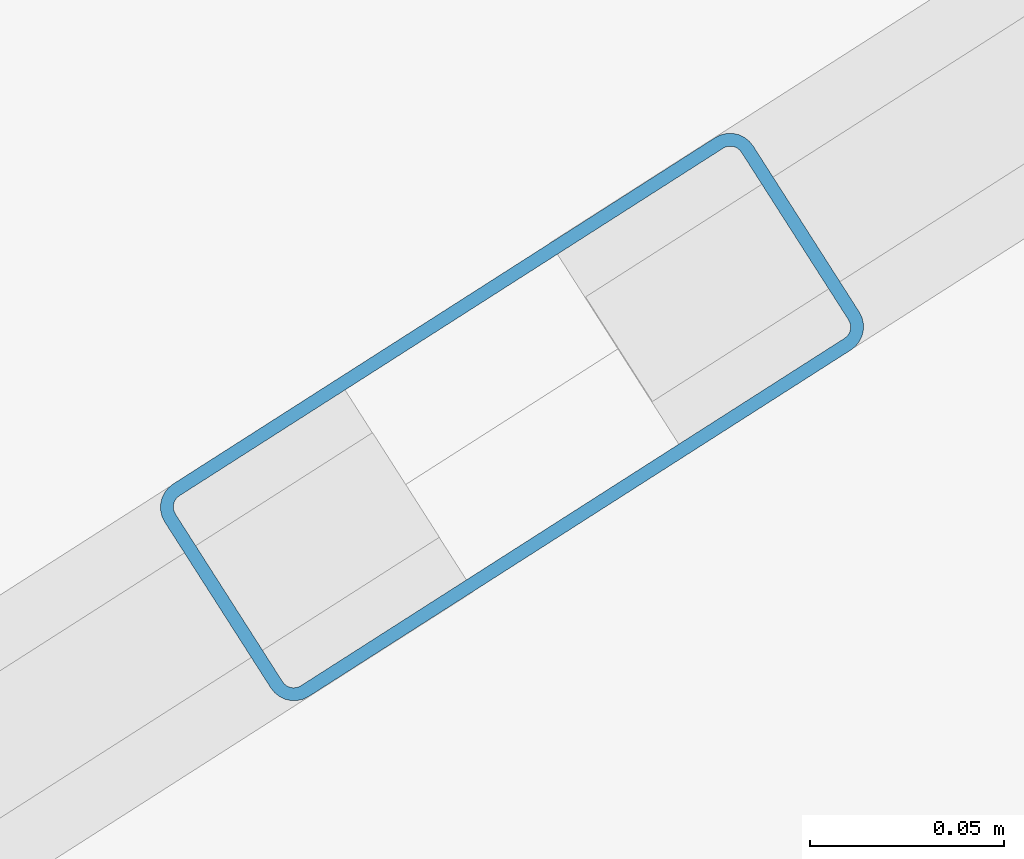
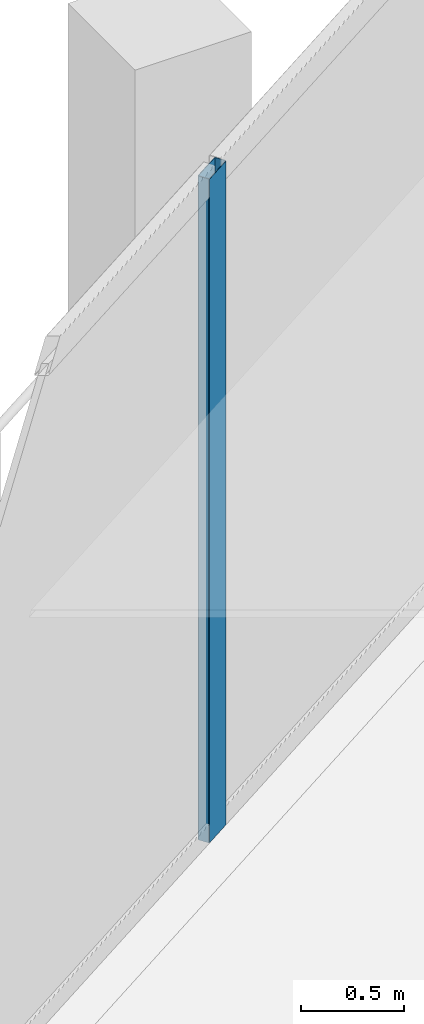
# One storey, part 14 of 42: 1 member, 1 element without a shape of its own.
"""IFC4 building model written with IfcOpenShell, lengths in metres."""

from ifc_helpers import new_model, si_unit, direction, frame, origin, origin_2d, place, context, subcontext, project, spatial, hollow_rectangle, extrude, material, layer, layer_set, material_profile, profile_set, type_object, element, aggregate, save


model = new_model("IFC4")

# Units and contexts
model_context = context("Model", 3, precision=1e-05, world=origin(), true_north=direction((0.0, 1.0)))
body_context = subcontext(model_context, "Body", "Model", "MODEL_VIEW")
ifc_project = project(units=[si_unit("LENGTHUNIT", "METRE"), si_unit("AREAUNIT", "SQUARE_METRE"), si_unit("VOLUMEUNIT", "CUBIC_METRE"), si_unit("PLANEANGLEUNIT", "RADIAN"), si_unit("MASSUNIT", "GRAM", prefix="KILO")], contexts=[model_context])

# Site, building, storey
site_placement = place(None, origin())
site = spatial("IfcSite", under=ifc_project, at=site_placement, CompositionType="ELEMENT")
building_placement = place(site_placement, origin())
building = spatial("IfcBuilding", under=site, at=building_placement, Name="Qorvath Tower", CompositionType="ELEMENT")
storey_placement = place(building_placement, frame((0.0, 0.0, 32.39990234375)))
storey = spatial("IfcBuildingStorey", under=building, at=storey_placement, Name="L06", CompositionType="ELEMENT", Elevation=32.39990234375)

# Curtain wall, member
ifc_material_1 = material(Name="Anodised aluminium and triple low-E glass", Category="aluminium")
ifc_layer = layer(ifc_material_1, 0.179931640625)
ifc_layer_set = layer_set([ifc_layer], Name="CW-SYS-2")
curtain_wall_type = type_object("IfcCurtainWallType", Name="CW-SYS-2", PredefinedType="NOTDEFINED", material=ifc_layer_set)
curtain_wall_placement = place(storey_placement, origin())
curtain_wall = element("IfcCurtainWall", 1, at=curtain_wall_placement, inside=storey, type_object=curtain_wall_type, Name="Curtain Wall CW-2 CW-T-L06-16.3", PredefinedType="NOTDEFINED")
ifc_material_2 = material(Name="Anodised aluminium 6063-T6", Category="aluminium")
ifc_material_profile = material_profile(ifc_material_2, hollow_rectangle(XDim=0.06494140625, YDim=0.179931640625, WallThickness=0.00341796875, InnerFilletRadius=0.00341796875, OuterFilletRadius=0.007080078125, at=origin_2d()), Name="CWM 180x65")
ifc_profile_set = profile_set([ifc_material_profile], Name="Anodised aluminium 6063-T6")
member_type = type_object("IfcMemberType", Name="CWM-180", PredefinedType="MULLION", material=ifc_profile_set)
member_placement = place(storey_placement, frame((-45.75244140625, 13.89501953125, 0.0), z_axis=(0.0, 0.0, 1.0), x_axis=(0.538528741164, -0.84260714152, 0.0)))
member = element("IfcMember", 2, at=member_placement, type_object=member_type, Name="CW-2 mullion 2", PredefinedType="MULLION", context=body_context, shape_type="SweptSolid", body=[
    extrude(hollow_rectangle(XDim=0.06494140625, YDim=0.179931640625, WallThickness=0.00341796875, InnerFilletRadius=0.00341796875, OuterFilletRadius=0.007080078125, at=origin_2d()), origin(), (0.0, 0.0, 1.0), 3.920166015625),
])
aggregate(curtain_wall, [member])

save(model, "model.ifc")
